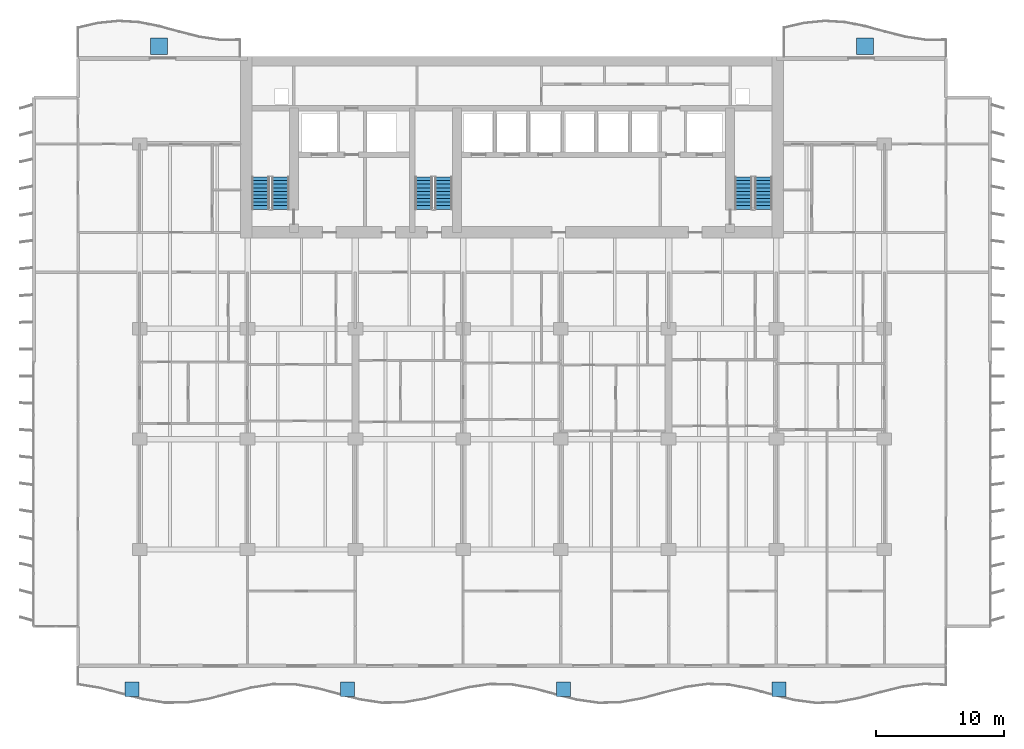
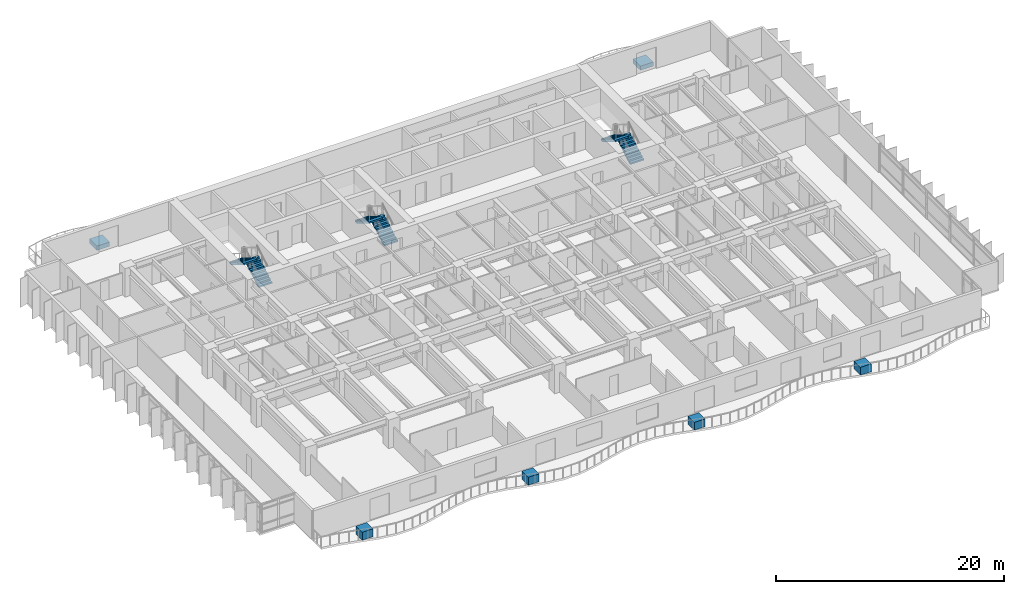
# One storey, part 14 of 18: 6 discrete accessories, 6 stair flights, 3 elements without a shape of their own.
"""IFC4 building model written with IfcOpenShell, lengths in metres."""

from ifc_helpers import new_model, si_unit, direction, frame, origin, origin_2d, place, context, subcontext, project, spatial, polyline, rectangle, outline, extrude, material, type_object, element, aggregate, save


model = new_model("IFC4")

# Units and contexts
model_context = context("Model", 3, precision=1e-05, world=origin(), true_north=direction((0.0, 1.0)))
body_context = subcontext(model_context, "Body", "Model", "MODEL_VIEW")
ifc_project = project(units=[si_unit("LENGTHUNIT", "METRE"), si_unit("AREAUNIT", "SQUARE_METRE"), si_unit("VOLUMEUNIT", "CUBIC_METRE"), si_unit("PLANEANGLEUNIT", "RADIAN"), si_unit("MASSUNIT", "GRAM", prefix="KILO")], contexts=[model_context])

# Site, building, storey
site_placement = place(None, origin())
site = spatial("IfcSite", under=ifc_project, at=site_placement, CompositionType="ELEMENT")
building_placement = place(site_placement, origin())
building = spatial("IfcBuilding", under=site, at=building_placement, Name="Caelmar Bay Residences", CompositionType="ELEMENT")
storey_placement = place(building_placement, frame((0.0, 0.0, 56.39990234375)))
storey = spatial("IfcBuildingStorey", under=building, at=storey_placement, Name="L14", CompositionType="ELEMENT", Elevation=56.39990234375)

# Stair, stair flights
ifc_material_1 = material(Name="Concrete f'c 40 MPa (6,000 psi)", Category="concrete")
stair_type = type_object("IfcStairType", Name="ST-TYP-165", PredefinedType="HALF_TURN_STAIR", material=ifc_material_1)
stair_1_placement = place(storey_placement, origin())
stair_1 = element("IfcStair", 1, at=stair_1_placement, inside=storey, type_object=stair_type, Name="L14 West Smokeproof Exit Stair ST1", PredefinedType="HALF_TURN_STAIR")
stair_flight_type = type_object("IfcStairFlightType", Name="STF-1350", PredefinedType="STRAIGHT", material=ifc_material_1)
stair_flight_1_placement = place(storey_placement, frame((20.875, 38.699951171875, 0.0), z_axis=(0.0, 0.0, 1.0), x_axis=(0.0, 1.0, 0.0)))
stair_flight_1 = element("IfcStairFlight", 2, at=stair_flight_1_placement, type_object=stair_flight_type, Name="ST1 flight 1", NumberOfRisers=10, NumberOfTreads=9, PredefinedType="STRAIGHT", RiserHeight=0.165, TreadLength=0.28, context=body_context, shape_type="SweptSolid", body=[
    extrude(outline(polyline([(0.0, 0.0), (0.0, 0.1650390625), (0.280029296875, 0.1650390625), (0.280029296875, 0.330078125), (0.56005859375, 0.330078125), (0.56005859375, 0.4951171875), (0.840087890625, 0.4951171875), (0.840087890625, 0.659912109375), (1.1201171875, 0.659912109375), (1.1201171875, 0.824951171875), (1.39990234375, 0.824951171875), (1.39990234375, 0.989990234375), (1.679931640625, 0.989990234375), (1.679931640625, 1.155029296875), (1.9599609375, 1.155029296875), (1.9599609375, 1.320068359375), (2.239990234375, 1.320068359375), (2.239990234375, 1.485107421875), (2.52001953125, 1.485107421875), (2.52001953125, 1.64990234375), (2.52001953125, 1.31103515625), (0.295166015625, 0.0), (0.0, 0.0)])), frame((0.0, 0.675048828125, 0.0), z_axis=(0.0, -1.0, 0.0), x_axis=(1.0, 0.0, 0.0)), (0.0, 0.0, 1.0), 1.35009765625),
])
stair_flight_2_placement = place(storey_placement, frame((19.324951171875, 41.219970703125, 1.650146484375), z_axis=(0.0, 0.0, 1.0), x_axis=(0.0, -1.0, 0.0)))
stair_flight_2 = element("IfcStairFlight", 3, at=stair_flight_2_placement, type_object=stair_flight_type, Name="ST1 flight 2", NumberOfRisers=10, NumberOfTreads=9, PredefinedType="STRAIGHT", RiserHeight=0.165, TreadLength=0.28, context=body_context, shape_type="SweptSolid", body=[
    extrude(outline(polyline([(0.0, 0.0), (0.0, 0.1650390625), (0.280029296875, 0.1650390625), (0.280029296875, 0.330078125), (0.56005859375, 0.330078125), (0.56005859375, 0.4951171875), (0.840087890625, 0.4951171875), (0.840087890625, 0.659912109375), (1.1201171875, 0.659912109375), (1.1201171875, 0.824951171875), (1.39990234375, 0.824951171875), (1.39990234375, 0.989990234375), (1.679931640625, 0.989990234375), (1.679931640625, 1.155029296875), (1.9599609375, 1.155029296875), (1.9599609375, 1.320068359375), (2.239990234375, 1.320068359375), (2.239990234375, 1.485107421875), (2.52001953125, 1.485107421875), (2.52001953125, 1.64990234375), (2.52001953125, 1.31103515625), (0.295166015625, 0.0), (0.0, 0.0)])), frame((0.0, 0.675048828125, 0.0), z_axis=(0.0, -1.0, 0.0), x_axis=(1.0, 0.0, 0.0)), (0.0, 0.0, 1.0), 1.35009765625),
])
aggregate(stair_1, [stair_flight_1, stair_flight_2])

stair_2_placement = place(storey_placement, origin())
stair_2 = element("IfcStair", 4, at=stair_2_placement, inside=storey, type_object=stair_type, Name="L14 East Smokeproof Exit Stair ST2", PredefinedType="HALF_TURN_STAIR")
stair_flight_3_placement = place(storey_placement, frame((58.47509765625, 38.699951171875, 0.0), z_axis=(0.0, 0.0, 1.0), x_axis=(0.0, 1.0, 0.0)))
stair_flight_3 = element("IfcStairFlight", 5, at=stair_flight_3_placement, type_object=stair_flight_type, Name="ST2 flight 1", NumberOfRisers=10, NumberOfTreads=9, PredefinedType="STRAIGHT", RiserHeight=0.165, TreadLength=0.28, context=body_context, shape_type="SweptSolid", body=[
    extrude(outline(polyline([(0.0, 0.0), (0.0, 0.1650390625), (0.280029296875, 0.1650390625), (0.280029296875, 0.330078125), (0.56005859375, 0.330078125), (0.56005859375, 0.4951171875), (0.840087890625, 0.4951171875), (0.840087890625, 0.659912109375), (1.1201171875, 0.659912109375), (1.1201171875, 0.824951171875), (1.39990234375, 0.824951171875), (1.39990234375, 0.989990234375), (1.679931640625, 0.989990234375), (1.679931640625, 1.155029296875), (1.9599609375, 1.155029296875), (1.9599609375, 1.320068359375), (2.239990234375, 1.320068359375), (2.239990234375, 1.485107421875), (2.52001953125, 1.485107421875), (2.52001953125, 1.64990234375), (2.52001953125, 1.31103515625), (0.295166015625, 0.0), (0.0, 0.0)])), frame((0.0, 0.675048828125, 0.0), z_axis=(0.0, -1.0, 0.0), x_axis=(1.0, 0.0, 0.0)), (0.0, 0.0, 1.0), 1.35009765625),
])
stair_flight_4_placement = place(storey_placement, frame((56.925048828125, 41.219970703125, 1.650146484375), z_axis=(0.0, 0.0, 1.0), x_axis=(0.0, -1.0, 0.0)))
stair_flight_4 = element("IfcStairFlight", 6, at=stair_flight_4_placement, type_object=stair_flight_type, Name="ST2 flight 2", NumberOfRisers=10, NumberOfTreads=9, PredefinedType="STRAIGHT", RiserHeight=0.165, TreadLength=0.28, context=body_context, shape_type="SweptSolid", body=[
    extrude(outline(polyline([(0.0, 0.0), (0.0, 0.1650390625), (0.280029296875, 0.1650390625), (0.280029296875, 0.330078125), (0.56005859375, 0.330078125), (0.56005859375, 0.4951171875), (0.840087890625, 0.4951171875), (0.840087890625, 0.659912109375), (1.1201171875, 0.659912109375), (1.1201171875, 0.824951171875), (1.39990234375, 0.824951171875), (1.39990234375, 0.989990234375), (1.679931640625, 0.989990234375), (1.679931640625, 1.155029296875), (1.9599609375, 1.155029296875), (1.9599609375, 1.320068359375), (2.239990234375, 1.320068359375), (2.239990234375, 1.485107421875), (2.52001953125, 1.485107421875), (2.52001953125, 1.64990234375), (2.52001953125, 1.31103515625), (0.295166015625, 0.0), (0.0, 0.0)])), frame((0.0, 0.675048828125, 0.0), z_axis=(0.0, -1.0, 0.0), x_axis=(1.0, 0.0, 0.0)), (0.0, 0.0, 1.0), 1.35009765625),
])
aggregate(stair_2, [stair_flight_3, stair_flight_4])

stair_3_placement = place(storey_placement, origin())
stair_3 = element("IfcStair", 7, at=stair_3_placement, inside=storey, type_object=stair_type, Name="L14 Central Smokeproof Exit Stair ST3", PredefinedType="HALF_TURN_STAIR")
stair_flight_5_placement = place(storey_placement, frame((33.574951171875, 38.699951171875, 0.0), z_axis=(0.0, 0.0, 1.0), x_axis=(0.0, 1.0, 0.0)))
stair_flight_5 = element("IfcStairFlight", 8, at=stair_flight_5_placement, type_object=stair_flight_type, Name="ST3 flight 1", NumberOfRisers=10, NumberOfTreads=9, PredefinedType="STRAIGHT", RiserHeight=0.165, TreadLength=0.28, context=body_context, shape_type="SweptSolid", body=[
    extrude(outline(polyline([(0.0, 0.0), (0.0, 0.1650390625), (0.280029296875, 0.1650390625), (0.280029296875, 0.330078125), (0.56005859375, 0.330078125), (0.56005859375, 0.4951171875), (0.840087890625, 0.4951171875), (0.840087890625, 0.659912109375), (1.1201171875, 0.659912109375), (1.1201171875, 0.824951171875), (1.39990234375, 0.824951171875), (1.39990234375, 0.989990234375), (1.679931640625, 0.989990234375), (1.679931640625, 1.155029296875), (1.9599609375, 1.155029296875), (1.9599609375, 1.320068359375), (2.239990234375, 1.320068359375), (2.239990234375, 1.485107421875), (2.52001953125, 1.485107421875), (2.52001953125, 1.64990234375), (2.52001953125, 1.31103515625), (0.295166015625, 0.0), (0.0, 0.0)])), frame((0.0, 0.675048828125, 0.0), z_axis=(0.0, -1.0, 0.0), x_axis=(1.0, 0.0, 0.0)), (0.0, 0.0, 1.0), 1.35009765625),
])
stair_flight_6_placement = place(storey_placement, frame((32.02490234375, 41.219970703125, 1.650146484375), z_axis=(0.0, 0.0, 1.0), x_axis=(0.0, -1.0, 0.0)))
stair_flight_6 = element("IfcStairFlight", 9, at=stair_flight_6_placement, type_object=stair_flight_type, Name="ST3 flight 2", NumberOfRisers=10, NumberOfTreads=9, PredefinedType="STRAIGHT", RiserHeight=0.165, TreadLength=0.28, context=body_context, shape_type="SweptSolid", body=[
    extrude(outline(polyline([(0.0, 0.0), (0.0, 0.1650390625), (0.280029296875, 0.1650390625), (0.280029296875, 0.330078125), (0.56005859375, 0.330078125), (0.56005859375, 0.4951171875), (0.840087890625, 0.4951171875), (0.840087890625, 0.659912109375), (1.1201171875, 0.659912109375), (1.1201171875, 0.824951171875), (1.39990234375, 0.824951171875), (1.39990234375, 0.989990234375), (1.679931640625, 0.989990234375), (1.679931640625, 1.155029296875), (1.9599609375, 1.155029296875), (1.9599609375, 1.320068359375), (2.239990234375, 1.320068359375), (2.239990234375, 1.485107421875), (2.52001953125, 1.485107421875), (2.52001953125, 1.64990234375), (2.52001953125, 1.31103515625), (0.295166015625, 0.0), (0.0, 0.0)])), frame((0.0, 0.675048828125, 0.0), z_axis=(0.0, -1.0, 0.0), x_axis=(1.0, 0.0, 0.0)), (0.0, 0.0, 1.0), 1.35009765625),
])
aggregate(stair_3, [stair_flight_5, stair_flight_6])

# Discrete accessories
ifc_material_2 = material(Name="Architectural bronze GRC planter trough with volcanic-lapilli substrate")
discrete_accessory_type_1 = type_object("IfcDiscreteAccessoryType", Name="ACC-PLANTER-1100", PredefinedType="USERDEFINED", material=ifc_material_2)
for number, where, z_axis, x_axis, name in (
    (10, (9.300048828125, 1.318115234375, 0.0), (0.0, 0.0, 1.0), (1.0, 0.0, 0.0), "L14 Balcony Structural Tree Planter 1"),
    (11, (26.10009765625, 1.318115234375, 0.0), (0.0, 0.0, 1.0), (1.0, 0.0, 0.0), "L14 Balcony Structural Tree Planter 2"),
    (12, (42.89990234375, 1.318115234375, 0.0), (0.0, 0.0, 1.0), (1.0, 0.0, 0.0), "L14 Balcony Structural Tree Planter 3"),
    (13, (59.699951171875, 1.318115234375, 0.0), (0.0, 0.0, 1.0), (1.0, 0.0, 0.0), "L14 Balcony Structural Tree Planter 4"),
):
    element("IfcDiscreteAccessory", number, at=place(storey_placement, frame(where, z_axis=z_axis, x_axis=x_axis)), inside=storey, type_object=discrete_accessory_type_1, Name=name, ObjectType="PLANTER", PredefinedType="USERDEFINED", context=body_context, shape_type="SweptSolid", body=[
        extrude(rectangle(XDim=1.10009765625, YDim=1.10009765625, at=origin_2d()), origin(), (0.0, 0.0, 1.0), 0.85009765625),
    ])
ifc_material_3 = material(Name="Precast concrete f'c 40 MPa (6,000 psi)", Category="concrete")
discrete_accessory_type_2 = type_object("IfcDiscreteAccessoryType", Name="STR-PLANTER-KERB-450", PredefinedType="USERDEFINED", material=ifc_material_3)
for number, where, z_axis, x_axis, name in (
    (14, (11.39990234375, 51.39990234375, 0.0), (0.0, 0.0, 1.0), (1.0, 0.0, 0.0), "L14 north_west Structural Tree Planter Kerb"),
    (15, (66.39990234375, 51.39990234375, 0.0), (0.0, 0.0, 1.0), (1.0, 0.0, 0.0), "L14 north_east Structural Tree Planter Kerb"),
):
    element("IfcDiscreteAccessory", number, at=place(storey_placement, frame(where, z_axis=z_axis, x_axis=x_axis)), inside=storey, type_object=discrete_accessory_type_2, Name=name, ObjectType="PLANTER", PredefinedType="USERDEFINED", context=body_context, shape_type="SweptSolid", body=[
        extrude(rectangle(XDim=1.300048828125, YDim=1.300048828125, at=origin_2d()), origin(), (0.0, 0.0, 1.0), 0.449951171875),
    ])

save(model, "model.ifc")
